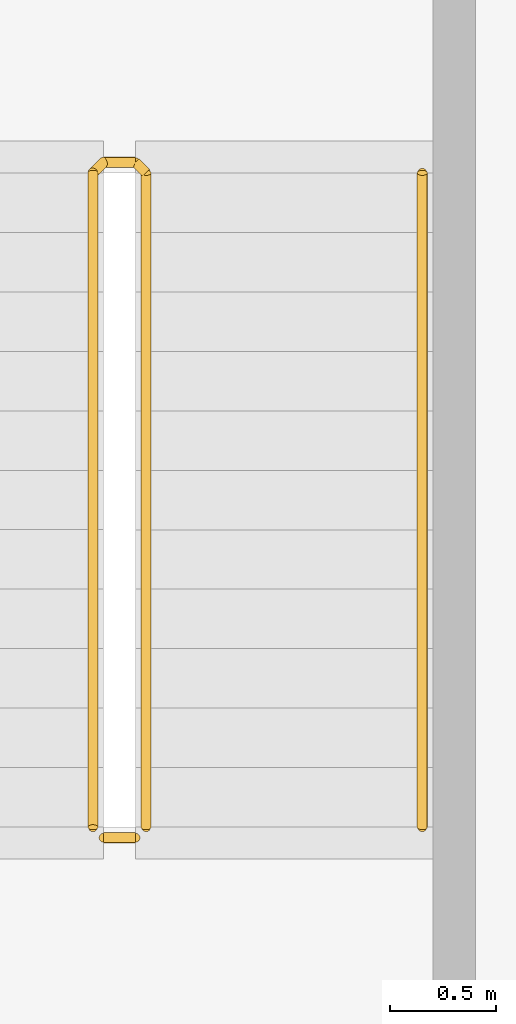
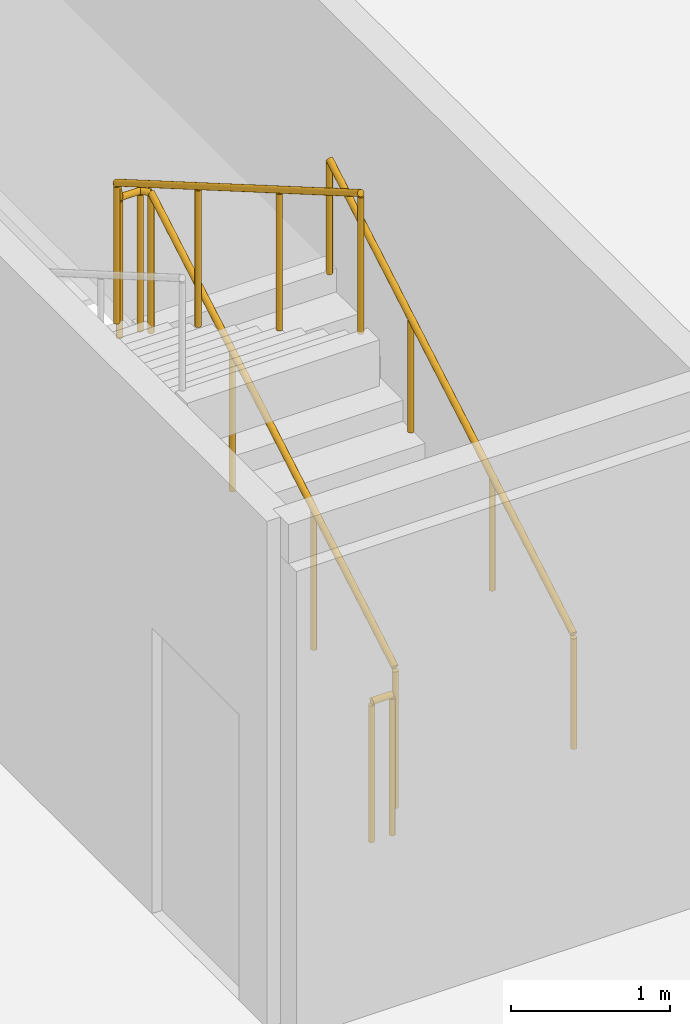
# One storey, part 20 of 21: 3 railings.
"""IFC4 building model written with IfcOpenShell, lengths in metres."""

from ifc_helpers import new_model, si_unit, direction, frame, origin, origin_2d, place, context, subcontext, project, spatial, circle, extrude, material, type_object, element, save


model = new_model("IFC4")

# Units and contexts
model_context = context("Model", 3, precision=1e-05, world=origin(), true_north=direction((0.0, 1.0)))
body_context = subcontext(model_context, "Body", "Model", "MODEL_VIEW")
ifc_project = project(units=[si_unit("LENGTHUNIT", "METRE"), si_unit("AREAUNIT", "SQUARE_METRE"), si_unit("VOLUMEUNIT", "CUBIC_METRE"), si_unit("PLANEANGLEUNIT", "RADIAN"), si_unit("MASSUNIT", "GRAM", prefix="KILO")], contexts=[model_context])

# Site, building, storey
site_placement = place(None, origin())
site = spatial("IfcSite", under=ifc_project, at=site_placement, CompositionType="ELEMENT")
building_placement = place(site_placement, origin())
building = spatial("IfcBuilding", under=site, at=building_placement, Name="Kheshtan School and Residences Tower", CompositionType="ELEMENT")
storey_placement = place(building_placement, frame((0.0, 0.0, 227.89990234375)))
storey = spatial("IfcBuildingStorey", under=building, at=storey_placement, Name="L53", CompositionType="ELEMENT", Elevation=227.89990234375)

# Railings
ifc_material_1 = material(Name="Stainless steel balustrade", Category="steel")
railing_type_1 = type_object("IfcRailingType", Name="Stair guard 1100", PredefinedType="GUARDRAIL", material=ifc_material_1)
railing_1_placement = place(storey_placement, frame((35.0, 80.89990234375, 0.16259765625)))
element("IfcRailing", 1, at=railing_1_placement, inside=storey, type_object=railing_type_1, Name="L53 ST3 stair guard 1", PredefinedType="GUARDRAIL", context=body_context, shape_type="SweptSolid", body=[
    extrude(circle(Radius=0.02392578125, at=origin_2d()), frame((0.0, 0.0, 1.076171875), z_axis=(0.0, 0.864890721111, 0.501960198159), x_axis=(-1.0, 0.0, 0.0)), (0.0, 0.0, 1.0), 3.561279296875),
    extrude(circle(Radius=0.02392578125, at=origin_2d()), frame((0.0, 3.080078125, 2.86376953125), z_axis=(-0.707106781187, 0.707106781187, 0.0), x_axis=(-0.707106781187, -0.707106781187, 0.0)), (0.0, 0.0, 1.0), 0.07080078125),
    extrude(circle(Radius=0.02392578125, at=origin_2d()), frame((-0.050048828125, 3.130126953125, 2.86376953125), z_axis=(-1.0, 0.0, 0.0), x_axis=(0.0, -1.0, 0.0)), (0.0, 0.0, 1.0), 0.14990234375),
    extrude(circle(Radius=0.02392578125, at=origin_2d()), frame((-0.199951171875, 3.130126953125, 2.86376953125), z_axis=(-0.282583949758, -0.282583949758, 0.916674763849), x_axis=(0.707106781187, -0.707106781187, 0.0)), (0.0, 0.0, 1.0), 0.177001953125),
    extrude(circle(Radius=0.02392578125, at=origin_2d()), frame((-0.25, 3.080078125, 3.02587890625), z_axis=(0.0, -0.864890721111, 0.501960198159), x_axis=(1.0, 0.0, 0.0)), (0.0, 0.0, 1.0), 3.561279296875),
    extrude(circle(Radius=0.02099609375, at=origin_2d()), origin(), (0.0, 0.0, 1.0), 1.052001953125),
    extrude(circle(Radius=0.02099609375, at=origin_2d()), frame((0.0, 1.026611328125, 0.595947265625)), (0.0, 0.0, 1.0), 1.052001953125),
    extrude(circle(Radius=0.02099609375, at=origin_2d()), frame((0.0, 2.053466796875, 1.191650390625)), (0.0, 0.0, 1.0), 1.052001953125),
    extrude(circle(Radius=0.02099609375, at=origin_2d()), frame((0.0, 3.080078125, 1.78759765625)), (0.0, 0.0, 1.0), 1.052001953125),
    extrude(circle(Radius=0.02099609375, at=origin_2d()), frame((-0.050048828125, 3.130126953125, 1.78759765625)), (0.0, 0.0, 1.0), 1.052001953125),
    extrude(circle(Radius=0.02099609375, at=origin_2d()), frame((-0.199951171875, 3.130126953125, 1.78759765625)), (0.0, 0.0, 1.0), 1.052001953125),
    extrude(circle(Radius=0.02099609375, at=origin_2d()), frame((-0.25, 3.080078125, 1.949951171875)), (0.0, 0.0, 1.0), 1.052001953125),
    extrude(circle(Radius=0.02099609375, at=origin_2d()), frame((-0.25, 2.053466796875, 2.5458984375)), (0.0, 0.0, 1.0), 1.052001953125),
    extrude(circle(Radius=0.02099609375, at=origin_2d()), frame((-0.25, 1.026611328125, 3.1416015625)), (0.0, 0.0, 1.0), 1.052001953125),
    extrude(circle(Radius=0.02099609375, at=origin_2d()), frame((-0.25, 0.0, 3.737548828125)), (0.0, 0.0, 1.0), 1.052001953125),
])
railing_2_placement = place(storey_placement, frame((34.949951171875, 80.85009765625, 0.0)))
element("IfcRailing", 2, at=railing_2_placement, inside=storey, type_object=railing_type_1, Name="L53 ST3 stair guard 2", PredefinedType="GUARDRAIL", context=body_context, shape_type="SweptSolid", body=[
    extrude(circle(Radius=0.02392578125, at=origin_2d()), frame((0.0, 0.0, 1.076171875), z_axis=(-1.0, 0.0, 0.0), x_axis=(0.0, -1.0, 0.0)), (0.0, 0.0, 1.0), 0.14990234375),
    extrude(circle(Radius=0.02099609375, at=origin_2d()), origin(), (0.0, 0.0, 1.0), 1.052001953125),
    extrude(circle(Radius=0.02099609375, at=origin_2d()), frame((-0.14990234375, 0.0, 0.0)), (0.0, 0.0, 1.0), 1.052001953125),
])
ifc_material_2 = material(Name="Stainless steel handrail", Category="steel")
railing_type_2 = type_object("IfcRailingType", Name="Stair handrail 900", PredefinedType="HANDRAIL", material=ifc_material_2)
railing_3_placement = place(storey_placement, frame((36.300048828125, 80.89990234375, 0.16259765625)))
element("IfcRailing", 3, at=railing_3_placement, inside=storey, type_object=railing_type_2, Name="L53 ST3 stair handrail 1", PredefinedType="HANDRAIL", context=body_context, shape_type="SweptSolid", body=[
    extrude(circle(Radius=0.02392578125, at=origin_2d()), frame((0.0, 0.0, 0.8759765625), z_axis=(0.0, 0.864890721111, 0.501960198159), x_axis=(-1.0, 0.0, 0.0)), (0.0, 0.0, 1.0), 3.561279296875),
    extrude(circle(Radius=0.02099609375, at=origin_2d()), origin(), (0.0, 0.0, 1.0), 0.851806640625),
    extrude(circle(Radius=0.02099609375, at=origin_2d()), frame((0.0, 1.026611328125, 0.595947265625)), (0.0, 0.0, 1.0), 0.851806640625),
    extrude(circle(Radius=0.02099609375, at=origin_2d()), frame((0.0, 2.053466796875, 1.191650390625)), (0.0, 0.0, 1.0), 0.851806640625),
    extrude(circle(Radius=0.02099609375, at=origin_2d()), frame((0.0, 3.080078125, 1.78759765625)), (0.0, 0.0, 1.0), 0.851806640625),
])

save(model, "model.ifc")
